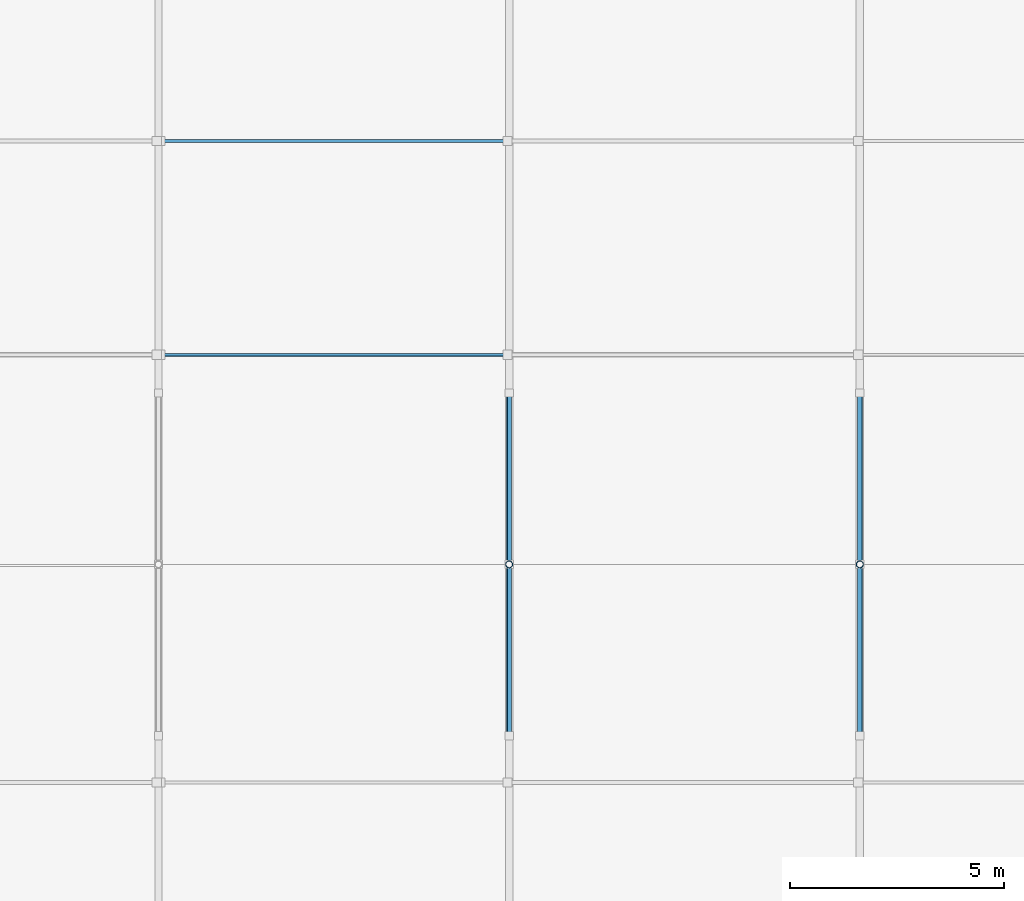
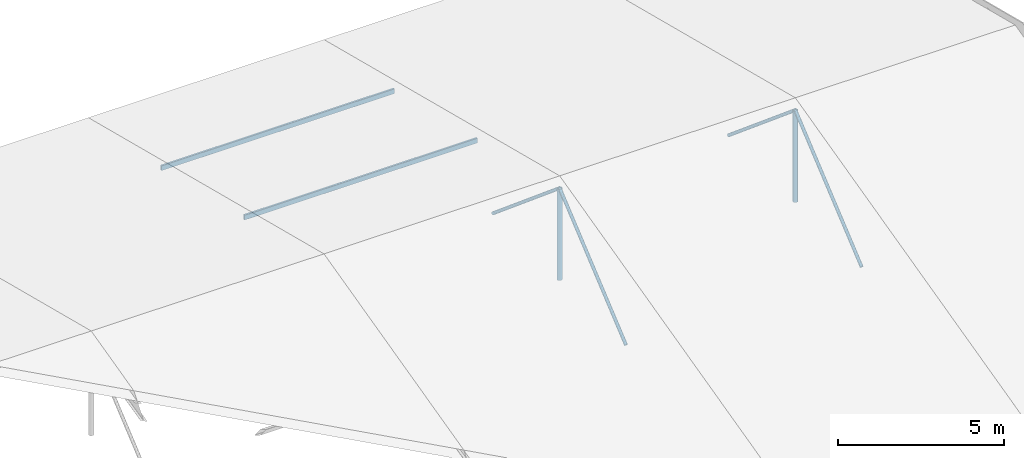
# One storey, part 38 of 65: 8 members.
"""IFC4 building model written with IfcOpenShell, lengths in metres."""

from ifc_helpers import new_model, si_unit, direction, frame, origin, origin_2d, place, context, subcontext, project, spatial, hollow_rectangle, hollow_circle, extrude, material, material_profile, profile_set, type_object, element, save


model = new_model("IFC4")

# Units and contexts
model_context = context("Model", 3, precision=1e-05, world=origin(), true_north=direction((0.0, 1.0)))
body_context = subcontext(model_context, "Body", "Model", "MODEL_VIEW")
ifc_project = project(units=[si_unit("LENGTHUNIT", "METRE"), si_unit("AREAUNIT", "SQUARE_METRE"), si_unit("VOLUMEUNIT", "CUBIC_METRE"), si_unit("PLANEANGLEUNIT", "RADIAN"), si_unit("MASSUNIT", "GRAM", prefix="KILO")], contexts=[model_context])

# Site, building, storey
site_placement = place(None, origin())
site = spatial("IfcSite", under=ifc_project, at=site_placement, CompositionType="ELEMENT")
building_placement = place(site_placement, origin())
building = spatial("IfcBuilding", under=site, at=building_placement, Name="Quillay Park Conservatory", CompositionType="ELEMENT")
storey_placement = place(building_placement, frame((0.0, 0.0, 14.10009765625)))
storey = spatial("IfcBuildingStorey", under=building, at=storey_placement, Name="L03", CompositionType="ELEMENT", Elevation=14.10009765625)

# Members
ifc_material_1 = material(Name="Steel S355J2H", Category="steel")
ifc_material_profile_1 = material_profile(ifc_material_1, hollow_circle(Radius=0.05712890625, WallThickness=0.00634765625, at=origin_2d()), Name="CHS114.3x6.3")
ifc_profile_set_1 = profile_set([ifc_material_profile_1], Name="Steel S355J2H")
member_type_1 = type_object("IfcMemberType", Name="CANOPY TIE STRUT CHS114", PredefinedType="STRUT", material=ifc_profile_set_1)
for number, where, z_axis, x_axis, name in (
    (1, (148.0, 95.60009765625, -1.5), (0.0, 0.766661786486, 0.642051170189), (-1.0, 0.0, 0.0), "Gridshell member AUD-STR-D5"),
    (2, (148.0, 103.60009765625, -1.5), (0.0, -0.766661786486, 0.642051170189), (1.0, 0.0, 0.0), "Gridshell member AUD-STR-DN5"),
    (3, (156.199951171875, 95.60009765625, -1.5), (0.0, 0.766661786486, 0.642051170189), (-1.0, 0.0, 0.0), "Gridshell member AUD-STR-D6"),
    (4, (156.199951171875, 103.60009765625, -1.5), (0.0, -0.766661786486, 0.642051170189), (1.0, 0.0, 0.0), "Gridshell member AUD-STR-DN6"),
):
    element("IfcMember", number, at=place(storey_placement, frame(where, z_axis=z_axis, x_axis=x_axis)), inside=storey, type_object=member_type_1, Name=name, PredefinedType="STRUT", context=body_context, shape_type="SweptSolid", body=[
        extrude(hollow_circle(Radius=0.05712890625, WallThickness=0.00634765625, at=origin_2d()), origin(), (0.0, 0.0, 1.0), 5.217529296875),
    ])
ifc_material_2 = material(Name="Steel S355J2H", Category="steel")
ifc_material_profile_2 = material_profile(ifc_material_2, hollow_circle(Radius=0.084228515625, WallThickness=0.008056640625, at=origin_2d()), Name="CHS168.3x8")
ifc_profile_set_2 = profile_set([ifc_material_profile_2], Name="Steel S355J2H")
member_type_2 = type_object("IfcMemberType", Name="CANOPY TIE STRUT CHS168", PredefinedType="STRUT", material=ifc_profile_set_2)
for number, where, z_axis, x_axis, name in (
    (5, (148.0, 99.60009765625, -1.5), (0.0, 0.0, 1.0), (1.0, 0.0, 0.0), "Gridshell member AUD-STR-K5"),
    (6, (156.199951171875, 99.60009765625, -1.5), (0.0, 0.0, 1.0), (1.0, 0.0, 0.0), "Gridshell member AUD-STR-K6"),
):
    element("IfcMember", number, at=place(storey_placement, frame(where, z_axis=z_axis, x_axis=x_axis)), inside=storey, type_object=member_type_2, Name=name, PredefinedType="STRUT", context=body_context, shape_type="SweptSolid", body=[
        extrude(hollow_circle(Radius=0.084228515625, WallThickness=0.008056640625, at=origin_2d()), origin(), (0.0, 0.0, 1.0), 3.349853515625),
    ])
ifc_material_3 = material(Name="Steel S355J2H", Category="steel")
ifc_material_profile_3 = material_profile(ifc_material_3, hollow_rectangle(XDim=0.070068359375, YDim=0.179931640625, WallThickness=0.00390625, InnerFilletRadius=0.00390625, OuterFilletRadius=0.008056640625, at=origin_2d()), Name="RHS180x70x4")
ifc_profile_set_3 = profile_set([ifc_material_profile_3], Name="Steel S355J2H")
member_type_3 = type_object("IfcMemberType", Name="ROOF GLAZING PURLIN RHS180 X70", PredefinedType="PURLIN", material=ifc_profile_set_3)
for number, where, z_axis, x_axis, name in (
    (7, (139.85009765625, 104.5, 0.660400390625), (1.0, 0.0, 0.0), (0.0, 1.0, 0.0), "Gridshell member AUD-PUR-4-104"),
    (8, (139.85009765625, 109.5, -0.553466796875), (1.0, 0.0, 0.0), (0.0, 1.0, 0.0), "Gridshell member AUD-PUR-4-109"),
):
    element("IfcMember", number, at=place(storey_placement, frame(where, z_axis=z_axis, x_axis=x_axis)), inside=storey, type_object=member_type_3, Name=name, PredefinedType="PURLIN", context=body_context, shape_type="SweptSolid", body=[
        extrude(hollow_rectangle(XDim=0.070068359375, YDim=0.179931640625, WallThickness=0.00390625, InnerFilletRadius=0.00390625, OuterFilletRadius=0.008056640625, at=origin_2d()), origin(), (0.0, 0.0, 1.0), 8.099853515625),
    ])

save(model, "model.ifc")
